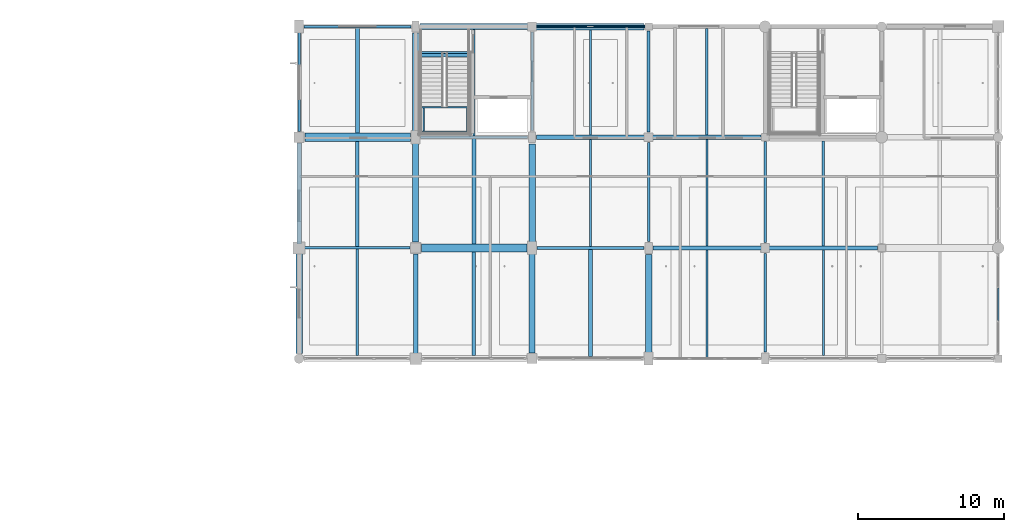
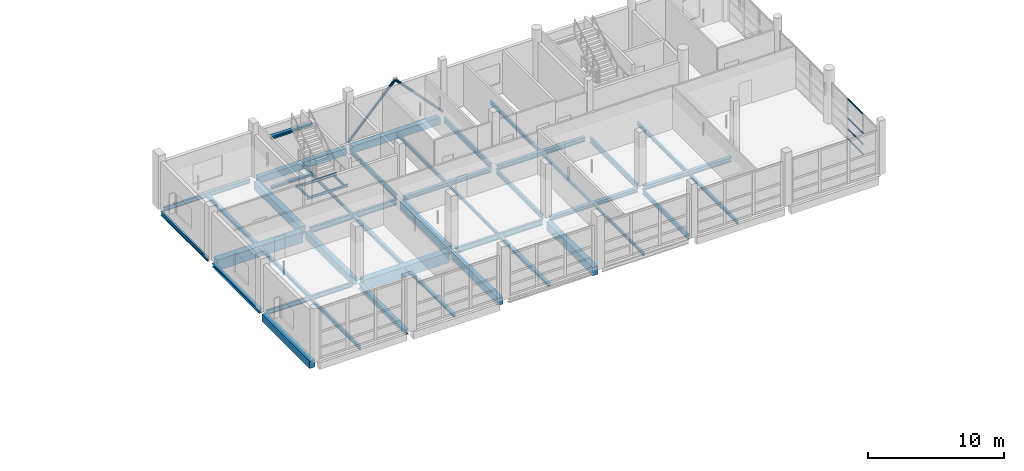
# One storey, part 18 of 46: 46 beams, 6 members, 1 element without a shape of its own.
"""IFC4 building model written with IfcOpenShell, lengths in metres."""

from ifc_helpers import new_model, si_unit, direction, frame, origin, origin_2d, place, context, subcontext, project, spatial, rectangle, hollow_rectangle, hollow_circle, i_section, extrude, material, material_profile, profile_set, type_object, element, aggregate, save


model = new_model("IFC4")

# Units and contexts
model_context = context("Model", 3, precision=1e-05, world=origin(), true_north=direction((0.0, 1.0)))
body_context = subcontext(model_context, "Body", "Model", "MODEL_VIEW")
ifc_project = project(units=[si_unit("LENGTHUNIT", "METRE"), si_unit("AREAUNIT", "SQUARE_METRE"), si_unit("VOLUMEUNIT", "CUBIC_METRE"), si_unit("PLANEANGLEUNIT", "RADIAN"), si_unit("MASSUNIT", "GRAM", prefix="KILO")], contexts=[model_context])

# Site, building, storey
site_placement = place(None, origin())
site = spatial("IfcSite", under=ifc_project, at=site_placement, CompositionType="ELEMENT")
building_placement = place(site_placement, origin())
building = spatial("IfcBuilding", under=site, at=building_placement, Name="Khelvaren Railside Concert Hall", CompositionType="ELEMENT")
storey_placement = place(building_placement, frame((0.0, 0.0, 19.800048828125)))
storey = spatial("IfcBuildingStorey", under=building, at=storey_placement, Name="L04", CompositionType="ELEMENT", Elevation=19.800048828125)

# Beams
ifc_material_1 = material(Name="Steel S355", Category="steel")
ifc_material_profile_1 = material_profile(ifc_material_1, i_section(OverallWidth=0.300048828125, OverallDepth=0.389892578125, WebThickness=0.010986328125, FlangeThickness=0.01904296875, FilletRadius=0.027099609375, at=origin_2d()), Name="HEA 400")
ifc_profile_set_1 = profile_set([ifc_material_profile_1], Name="Steel S355")
beam_type_1 = type_object("IfcBeamType", Name="BM23", PredefinedType="BEAM", material=ifc_profile_set_1)
for number, where, z_axis, x_axis, name in (
    (1, (168.25, 98.800048828125, -0.465087890625), (1.0, 0.0, 0.0), (0.0, 1.0, 0.0), "V5 L04 Beam X3.6"),
    (2, (160.25, 106.39990234375, -0.465087890625), (1.0, 0.0, 0.0), (0.0, 1.0, 0.0), "V5 L04 Beam X4.5"),
):
    element("IfcBeam", number, at=place(storey_placement, frame(where, z_axis=z_axis, x_axis=x_axis)), inside=storey, type_object=beam_type_1, Name=name, PredefinedType="BEAM", context=body_context, shape_type="SweptSolid", body=[
        extrude(i_section(OverallWidth=0.300048828125, OverallDepth=0.389892578125, WebThickness=0.010986328125, FlangeThickness=0.01904296875, FilletRadius=0.027099609375, at=origin_2d()), origin(), (0.0, 0.0, 1.0), 7.449951171875),
    ])
ifc_material_profile_2 = material_profile(ifc_material_1, i_section(OverallWidth=0.179931640625, OverallDepth=0.39990234375, WebThickness=0.008544921875, FlangeThickness=0.013427734375, FilletRadius=0.02099609375, at=origin_2d()), Name="IPE 400")
ifc_profile_set_2 = profile_set([ifc_material_profile_2], Name="Steel S355")
beam_type_2 = type_object("IfcBeamType", Name="BM29", PredefinedType="BEAM", material=ifc_profile_set_2)
beam_1_placement = place(storey_placement, frame((136.27294921875, 98.800048828125, -0.469970703125), z_axis=(1.0, 0.0, 0.0), x_axis=(0.0, 1.0, 0.0)))
element("IfcBeam", 3, at=beam_1_placement, inside=storey, type_object=beam_type_2, Name="V5 L04 Beam X3.2", PredefinedType="BEAM", context=body_context, shape_type="SweptSolid", body=[
    extrude(i_section(OverallWidth=0.179931640625, OverallDepth=0.39990234375, WebThickness=0.008544921875, FlangeThickness=0.013427734375, FilletRadius=0.02099609375, at=origin_2d()), origin(), (0.0, 0.0, 1.0), 7.3271484375),
])
for number, where, z_axis, x_axis, name in (
    (4, (152.0, 106.85009765625, -0.469970703125), (0.0, 1.0, 0.0), (-1.0, 0.0, 0.0), "V5 L04 Beam Y4.4"),
    (5, (160.0, 99.25, -0.469970703125), (0.0, 1.0, 0.0), (-1.0, 0.0, 0.0), "V5 L04 Beam Y5.3"),
):
    element("IfcBeam", number, at=place(storey_placement, frame(where, z_axis=z_axis, x_axis=x_axis)), inside=storey, type_object=beam_type_2, Name=name, PredefinedType="BEAM", context=body_context, shape_type="SweptSolid", body=[
        extrude(i_section(OverallWidth=0.179931640625, OverallDepth=0.39990234375, WebThickness=0.008544921875, FlangeThickness=0.013427734375, FilletRadius=0.02099609375, at=origin_2d()), origin(), (0.0, 0.0, 1.0), 6.77490234375),
    ])
beam_2_placement = place(storey_placement, frame((168.0, 91.64990234375, -0.469970703125), z_axis=(0.0, 1.0, 0.0), x_axis=(-1.0, 0.0, 0.0)))
element("IfcBeam", 6, at=beam_2_placement, inside=storey, type_object=beam_type_2, Name="V5 L04 Beam Y6.2", PredefinedType="BEAM", context=body_context, shape_type="SweptSolid", body=[
    extrude(i_section(OverallWidth=0.179931640625, OverallDepth=0.39990234375, WebThickness=0.008544921875, FlangeThickness=0.013427734375, FilletRadius=0.02099609375, at=origin_2d()), origin(), (0.0, 0.0, 1.0), 6.775146484375),
])
ifc_material_2 = material(Name="Concrete C40/50", Category="concrete")
ifc_material_profile_3 = material_profile(ifc_material_2, rectangle(XDim=0.39990234375, YDim=0.64990234375, at=origin_2d()), Name="RCB 400x650")
ifc_profile_set_3 = profile_set([ifc_material_profile_3], Name="Concrete C40/50")
beam_type_3 = type_object("IfcBeamType", Name="BM33", PredefinedType="BEAM", material=ifc_profile_set_3)
beam_3_placement = place(storey_placement, frame((144.0, 99.199951171875, -0.594970703125), z_axis=(0.0, 1.0, 0.0), x_axis=(-1.0, 0.0, 0.0)))
element("IfcBeam", 7, at=beam_3_placement, inside=storey, type_object=beam_type_3, Name="V5 L04 Beam Y3.3", PredefinedType="BEAM", context=body_context, shape_type="SweptSolid", body=[
    extrude(rectangle(XDim=0.39990234375, YDim=0.64990234375, at=origin_2d()), origin(), (0.0, 0.0, 1.0), 6.85009765625),
])
beam_4_placement = place(storey_placement, frame((152.0, 91.60009765625, -0.594970703125), z_axis=(0.0, 1.0, 0.0), x_axis=(-1.0, 0.0, 0.0)))
element("IfcBeam", 8, at=beam_4_placement, inside=storey, type_object=beam_type_3, Name="V5 L04 Beam Y4.2", PredefinedType="BEAM", context=body_context, shape_type="SweptSolid", body=[
    extrude(rectangle(XDim=0.39990234375, YDim=0.64990234375, at=origin_2d()), origin(), (0.0, 0.0, 1.0), 6.849853515625),
])
ifc_material_profile_4 = material_profile(ifc_material_1, i_section(OverallWidth=0.239990234375, OverallDepth=0.22998046875, WebThickness=0.007568359375, FlangeThickness=0.011962890625, FilletRadius=0.02099609375, at=origin_2d()), Name="HEA 240")
ifc_profile_set_4 = profile_set([ifc_material_profile_4], Name="Steel S355")
beam_type_4 = type_object("IfcBeamType", Name="BM42", PredefinedType="BEAM", material=ifc_profile_set_4)
beam_5_placement = place(storey_placement, frame((144.344970703125, 112.039306640625, -0.114990234375), z_axis=(1.0, 0.0, 0.0), x_axis=(0.0, 1.0, 0.0)))
element("IfcBeam", 9, at=beam_5_placement, inside=storey, type_object=beam_type_4, Name="ST-09 L04 Stair Foot Trimmer Beam", PredefinedType="BEAM", context=body_context, shape_type="SweptSolid", body=[
    extrude(i_section(OverallWidth=0.239990234375, OverallDepth=0.22998046875, WebThickness=0.007568359375, FlangeThickness=0.011962890625, FilletRadius=0.02099609375, at=origin_2d()), origin(), (0.0, 0.0, 1.0), 3.4951171875),
])
ifc_material_profile_5 = material_profile(ifc_material_1, i_section(OverallWidth=0.199951171875, OverallDepth=0.5, WebThickness=0.01025390625, FlangeThickness=0.01611328125, FilletRadius=0.02099609375, at=origin_2d()), Name="IPE 500")
ifc_profile_set_5 = profile_set([ifc_material_profile_5], Name="Steel S355")
beam_type_5 = type_object("IfcBeamType", Name="BM62", PredefinedType="BEAM", material=ifc_profile_set_5)
for number, where, z_axis, x_axis, name in (
    (10, (152.35009765625, 98.800048828125, -0.52001953125), (1.0, 0.0, 0.0), (0.0, 1.0, 0.0), "V5 L04 Beam X3.4"),
    (11, (144.35009765625, 106.39990234375, -0.52001953125), (1.0, 0.0, 0.0), (0.0, 1.0, 0.0), "V5 L04 Beam X4.3"),
):
    element("IfcBeam", number, at=place(storey_placement, frame(where, z_axis=z_axis, x_axis=x_axis)), inside=storey, type_object=beam_type_5, Name=name, PredefinedType="BEAM", context=body_context, shape_type="SweptSolid", body=[
        extrude(i_section(OverallWidth=0.199951171875, OverallDepth=0.5, WebThickness=0.01025390625, FlangeThickness=0.01611328125, FilletRadius=0.02099609375, at=origin_2d()), origin(), (0.0, 0.0, 1.0), 7.349853515625),
    ])
ifc_material_profile_6 = material_profile(ifc_material_1, i_section(OverallWidth=0.300048828125, OverallDepth=0.35009765625, WebThickness=0.010009765625, FlangeThickness=0.017578125, FilletRadius=0.027099609375, at=origin_2d()), Name="HEA 360")
ifc_profile_set_6 = profile_set([ifc_material_profile_6], Name="Steel S355")
beam_type_6 = type_object("IfcBeamType", Name="BM73", PredefinedType="BEAM", material=ifc_profile_set_6)
for number, where, z_axis, x_axis, name in (
    (12, (160.300048828125, 98.800048828125, -0.445068359375), (1.0, 0.0, 0.0), (0.0, 1.0, 0.0), "V5 L04 Beam X3.5"),
    (13, (152.300048828125, 106.39990234375, -0.445068359375), (1.0, 0.0, 0.0), (0.0, 1.0, 0.0), "V5 L04 Beam X4.4"),
):
    element("IfcBeam", number, at=place(storey_placement, frame(where, z_axis=z_axis, x_axis=x_axis)), inside=storey, type_object=beam_type_6, Name=name, PredefinedType="BEAM", context=body_context, shape_type="SweptSolid", body=[
        extrude(i_section(OverallWidth=0.300048828125, OverallDepth=0.35009765625, WebThickness=0.010009765625, FlangeThickness=0.017578125, FilletRadius=0.027099609375, at=origin_2d()), origin(), (0.0, 0.0, 1.0), 7.449951171875),
    ])
ifc_material_profile_7 = material_profile(ifc_material_2, rectangle(XDim=0.449951171875, YDim=0.75, at=origin_2d()), Name="RCB 450x750")
ifc_profile_set_7 = profile_set([ifc_material_profile_7], Name="Concrete C40/50")
beam_type_7 = type_object("IfcBeamType", Name="BM83", PredefinedType="BEAM", material=ifc_profile_set_7)
for number, where, z_axis, x_axis, name in (
    (14, (144.0, 106.75, -0.64501953125), (0.0, 1.0, 0.0), (-1.0, 0.0, 0.0), "V5 L04 Beam Y3.4"),
    (15, (152.0, 99.14990234375, -0.64501953125), (0.0, 1.0, 0.0), (-1.0, 0.0, 0.0), "V5 L04 Beam Y4.3"),
    (16, (160.0, 91.550048828125, -0.64501953125), (0.0, 1.0, 0.0), (-1.0, 0.0, 0.0), "V5 L04 Beam Y5.2"),
):
    element("IfcBeam", number, at=place(storey_placement, frame(where, z_axis=z_axis, x_axis=x_axis)), inside=storey, type_object=beam_type_7, Name=name, PredefinedType="BEAM", context=body_context, shape_type="SweptSolid", body=[
        extrude(rectangle(XDim=0.449951171875, YDim=0.75, at=origin_2d()), origin(), (0.0, 0.0, 1.0), 6.800048828125),
    ])
ifc_material_profile_8 = material_profile(ifc_material_1, i_section(OverallWidth=0.110107421875, OverallDepth=0.219970703125, WebThickness=0.005859375, FlangeThickness=0.00927734375, FilletRadius=0.011962890625, at=origin_2d()), Name="IPE 220")
ifc_profile_set_8 = profile_set([ifc_material_profile_8], Name="Steel S355")
beam_type_8 = type_object("IfcBeamType", Name="BM87", PredefinedType="BEAM", material=ifc_profile_set_8)
for number, where, z_axis, x_axis, name in (
    (17, (144.344970703125, 108.455078125, 2.08984375), (1.0, 0.0, 0.0), (0.0, 1.0, 0.0), "ST-09 L04 Half-Landing Front Beam"),
    (18, (144.344970703125, 106.760009765625, 2.08984375), (1.0, 0.0, 0.0), (0.0, 1.0, 0.0), "ST-09 L04 Half-Landing Rear Beam"),
):
    element("IfcBeam", number, at=place(storey_placement, frame(where, z_axis=z_axis, x_axis=x_axis)), inside=storey, type_object=beam_type_8, Name=name, PredefinedType="BEAM", context=body_context, shape_type="SweptSolid", body=[
        extrude(i_section(OverallWidth=0.110107421875, OverallDepth=0.219970703125, WebThickness=0.005859375, FlangeThickness=0.00927734375, FilletRadius=0.011962890625, at=origin_2d()), origin(), (0.0, 0.0, 1.0), 3.4951171875),
    ])
for number, where, z_axis, x_axis, name in (
    (19, (144.550048828125, 106.81494140625, 2.08984375), (0.0, 1.0, 0.0), (-1.0, 0.0, 0.0), "ST-09 L04 Half-Landing Side Tie W"),
    (20, (147.550048828125, 106.81494140625, 2.08984375), (0.0, 1.0, 0.0), (-1.0, 0.0, 0.0), "ST-09 L04 Half-Landing Side Tie E"),
):
    element("IfcBeam", number, at=place(storey_placement, frame(where, z_axis=z_axis, x_axis=x_axis)), inside=storey, type_object=beam_type_8, Name=name, PredefinedType="BEAM", context=body_context, shape_type="SweptSolid", body=[
        extrude(i_section(OverallWidth=0.110107421875, OverallDepth=0.219970703125, WebThickness=0.005859375, FlangeThickness=0.00927734375, FilletRadius=0.011962890625, at=origin_2d()), origin(), (0.0, 0.0, 1.0), 1.5849609375),
    ])
ifc_material_profile_9 = material_profile(ifc_material_1, i_section(OverallWidth=0.300048828125, OverallDepth=0.43994140625, WebThickness=0.011474609375, FlangeThickness=0.02099609375, FilletRadius=0.027099609375, at=origin_2d()), Name="HEA 450")
ifc_profile_set_9 = profile_set([ifc_material_profile_9], Name="Steel S355")
beam_type_9 = type_object("IfcBeamType", Name="BM89", PredefinedType="BEAM", material=ifc_profile_set_9)
beam_6_placement = place(storey_placement, frame((144.0, 91.472900390625, -0.489990234375), z_axis=(0.0, 1.0, 0.0), x_axis=(-1.0, 0.0, 0.0)))
element("IfcBeam", 21, at=beam_6_placement, inside=storey, type_object=beam_type_9, Name="V5 L04 Beam Y3.2", PredefinedType="BEAM", context=body_context, shape_type="SweptSolid", body=[
    extrude(i_section(OverallWidth=0.300048828125, OverallDepth=0.43994140625, WebThickness=0.011474609375, FlangeThickness=0.02099609375, FilletRadius=0.027099609375, at=origin_2d()), origin(), (0.0, 0.0, 1.0), 6.927001953125),
])
ifc_material_profile_10 = material_profile(ifc_material_1, i_section(OverallWidth=0.280029296875, OverallDepth=0.27001953125, WebThickness=0.008056640625, FlangeThickness=0.012939453125, FilletRadius=0.02392578125, at=origin_2d()), Name="HEA 280")
ifc_profile_set_10 = profile_set([ifc_material_profile_10], Name="Steel S355")
beam_type_10 = type_object("IfcBeamType", Name="BM93", PredefinedType="BEAM", material=ifc_profile_set_10)
beam_7_placement = place(storey_placement, frame((144.344970703125, 112.139892578125, 4.317626953125), z_axis=(1.0, 0.0, 0.0), x_axis=(0.0, 1.0, 0.0)))
element("IfcBeam", 22, at=beam_7_placement, inside=storey, type_object=beam_type_10, Name="ST-09 L04 Stair Top Arrival Trimmer Beam", PredefinedType="BEAM", context=body_context, shape_type="SweptSolid", body=[
    extrude(i_section(OverallWidth=0.280029296875, OverallDepth=0.27001953125, WebThickness=0.008056640625, FlangeThickness=0.012939453125, FilletRadius=0.02392578125, at=origin_2d()), origin(), (0.0, 0.0, 1.0), 3.4951171875),
])
ifc_material_profile_11 = material_profile(ifc_material_1, i_section(OverallWidth=0.18994140625, OverallDepth=0.449951171875, WebThickness=0.009521484375, FlangeThickness=0.0146484375, FilletRadius=0.02099609375, at=origin_2d()), Name="IPE 450")
ifc_profile_set_11 = profile_set([ifc_material_profile_11], Name="Steel S355")
beam_type_11 = type_object("IfcBeamType", Name="BM95", PredefinedType="BEAM", material=ifc_profile_set_11)
for number, where, z_axis, x_axis, name in (
    (23, (160.0, 106.77490234375, -0.4951171875), (0.0, 1.0, 0.0), (-1.0, 0.0, 0.0), "V5 L04 Beam Y5.4"),
    (24, (168.0, 99.175048828125, -0.4951171875), (0.0, 1.0, 0.0), (-1.0, 0.0, 0.0), "V5 L04 Beam Y6.3"),
):
    element("IfcBeam", number, at=place(storey_placement, frame(where, z_axis=z_axis, x_axis=x_axis)), inside=storey, type_object=beam_type_11, Name=name, PredefinedType="BEAM", context=body_context, shape_type="SweptSolid", body=[
        extrude(i_section(OverallWidth=0.18994140625, OverallDepth=0.449951171875, WebThickness=0.009521484375, FlangeThickness=0.0146484375, FilletRadius=0.02099609375, at=origin_2d()), origin(), (0.0, 0.0, 1.0), 6.925048828125),
    ])

# Members
ifc_material_profile_12 = material_profile(ifc_material_1, hollow_circle(Radius=0.109619140625, WallThickness=0.012451171875, at=origin_2d()), Name="CHS 219.1x12.5")
ifc_profile_set_12 = profile_set([ifc_material_profile_12], Name="Steel S355")
member_type_1 = type_object("IfcMemberType", Name="BR37", PredefinedType="BRACE", material=ifc_profile_set_12)
for number, where, z_axis, x_axis, name in (
    (25, (152.0, 114.0, 0.050048828125), (0.686221263148, 0.0, 0.727392863592), (0.0, 1.0, 0.0), "V5 L04 Seismic Chevron Brace 65"),
    (26, (160.0, 114.0, 0.050048828125), (-0.686221263148, 0.0, 0.727392863592), (0.0, -1.0, 0.0), "V5 L04 Seismic Chevron Brace 66"),
):
    element("IfcMember", number, at=place(storey_placement, frame(where, z_axis=z_axis, x_axis=x_axis)), inside=storey, type_object=member_type_1, Name=name, PredefinedType="BRACE", context=body_context, shape_type="SweptSolid", body=[
        extrude(hollow_circle(Radius=0.109619140625, WallThickness=0.012451171875, at=origin_2d()), origin(), (0.0, 0.0, 1.0), 5.8291015625),
    ])

# Curtain wall, members
ifc_material_3 = material(Name="Double-glazed low-E dark acoustic glass", Category="glass")
curtain_wall_type = type_object("IfcCurtainWallType", Name="CW32", PredefinedType="USERDEFINED", material=ifc_material_3)
curtain_wall_placement = place(storey_placement, origin())
curtain_wall = element("IfcCurtainWall", 27, at=curtain_wall_placement, inside=storey, type_object=curtain_wall_type, Name="Unitised Curtain Wall CW-V5-L04-E-91", ObjectType="UNITISED CURTAIN WALL", PredefinedType="USERDEFINED")
ifc_material_4 = material(Name="Anodised architectural aluminium 6063-T6", Category="aluminium")
ifc_material_profile_13 = material_profile(ifc_material_4, hollow_rectangle(XDim=0.06494140625, YDim=0.139892578125, WallThickness=0.00390625, InnerFilletRadius=0.001953125, OuterFilletRadius=0.00390625, at=origin_2d()), Name="CWT 65x140x4")
ifc_profile_set_13 = profile_set([ifc_material_profile_13], Name="Anodised architectural aluminium 6063-T6")
member_type_2 = type_object("IfcMemberType", Name="CWT72", PredefinedType="USERDEFINED", material=ifc_profile_set_13)
member_1_placement = place(storey_placement, frame((184.0, 96.0283203125, 0.032470703125), z_axis=(0.0, -1.0, 0.0), x_axis=(1.0, 0.0, 0.0)))
member_1 = element("IfcMember", 28, at=member_1_placement, type_object=member_type_2, Name="CW32 transom 2.1", ObjectType="TRANSOM", PredefinedType="USERDEFINED", context=body_context, shape_type="SweptSolid", body=[
    extrude(hollow_rectangle(XDim=0.06494140625, YDim=0.139892578125, WallThickness=0.00390625, InnerFilletRadius=0.001953125, OuterFilletRadius=0.00390625, at=origin_2d()), origin(), (0.0, 0.0, 1.0), 2.20654296875),
])
member_2_placement = place(storey_placement, frame((184.0, 96.0283203125, 0.949951171875), z_axis=(0.0, -1.0, 0.0), x_axis=(1.0, 0.0, 0.0)))
member_2 = element("IfcMember", 29, at=member_2_placement, type_object=member_type_2, Name="CW32 transom 2.2", ObjectType="TRANSOM", PredefinedType="USERDEFINED", context=body_context, shape_type="SweptSolid", body=[
    extrude(hollow_rectangle(XDim=0.06494140625, YDim=0.139892578125, WallThickness=0.00390625, InnerFilletRadius=0.001953125, OuterFilletRadius=0.00390625, at=origin_2d()), origin(), (0.0, 0.0, 1.0), 2.20654296875),
])
member_3_placement = place(storey_placement, frame((184.0, 96.0283203125, 1.91357421875), z_axis=(0.0, -1.0, 0.0), x_axis=(1.0, 0.0, 0.0)))
member_3 = element("IfcMember", 30, at=member_3_placement, type_object=member_type_2, Name="CW32 transom 2.3", ObjectType="TRANSOM", PredefinedType="USERDEFINED", context=body_context, shape_type="SweptSolid", body=[
    extrude(hollow_rectangle(XDim=0.06494140625, YDim=0.139892578125, WallThickness=0.00390625, InnerFilletRadius=0.001953125, OuterFilletRadius=0.00390625, at=origin_2d()), origin(), (0.0, 0.0, 1.0), 2.20654296875),
])
member_4_placement = place(storey_placement, frame((184.0, 96.0283203125, 3.6474609375), z_axis=(0.0, -1.0, 0.0), x_axis=(1.0, 0.0, 0.0)))
member_4 = element("IfcMember", 31, at=member_4_placement, type_object=member_type_2, Name="CW32 transom 2.4", ObjectType="TRANSOM", PredefinedType="USERDEFINED", context=body_context, shape_type="SweptSolid", body=[
    extrude(hollow_rectangle(XDim=0.06494140625, YDim=0.139892578125, WallThickness=0.00390625, InnerFilletRadius=0.001953125, OuterFilletRadius=0.00390625, at=origin_2d()), origin(), (0.0, 0.0, 1.0), 2.20654296875),
])
aggregate(curtain_wall, [member_1, member_2, member_3, member_4])

# Beams
ifc_material_profile_14 = material_profile(ifc_material_2, rectangle(XDim=0.550048828125, YDim=0.949951171875, at=origin_2d()), Name="RCB 550x950")
ifc_profile_set_14 = profile_set([ifc_material_profile_14], Name="Concrete C40/50")
beam_type_12 = type_object("IfcBeamType", Name="GR57", PredefinedType="T_BEAM", material=ifc_profile_set_14)
for number, where, z_axis, x_axis, name in (
    (32, (144.39990234375, 98.800048828125, -0.7451171875), (1.0, 0.0, 0.0), (0.0, 1.0, 0.0), "V5 L04 T_Beam X3.3"),
    (33, (136.39990234375, 106.39990234375, -0.7451171875), (1.0, 0.0, 0.0), (0.0, 1.0, 0.0), "V5 L04 T_Beam X4.2"),
):
    element("IfcBeam", number, at=place(storey_placement, frame(where, z_axis=z_axis, x_axis=x_axis)), inside=storey, type_object=beam_type_12, Name=name, PredefinedType="T_BEAM", context=body_context, shape_type="SweptSolid", body=[
        extrude(rectangle(XDim=0.550048828125, YDim=0.949951171875, at=origin_2d()), origin(), (0.0, 0.0, 1.0), 7.25),
    ])
ifc_material_profile_15 = material_profile(ifc_material_1, i_section(OverallWidth=0.14990234375, OverallDepth=0.300048828125, WebThickness=0.007080078125, FlangeThickness=0.0107421875, FilletRadius=0.014892578125, at=origin_2d()), Name="IPE 300")
ifc_profile_set_15 = profile_set([ifc_material_profile_15], Name="Steel S355")
beam_type_13 = type_object("IfcBeamType", Name="JS26", PredefinedType="JOIST", material=ifc_profile_set_15)
beam_8_placement = place(storey_placement, frame((156.0, 106.550048828125, -0.420166015625), z_axis=(0.0, 1.0, 0.0), x_axis=(-1.0, 0.0, 0.0)))
element("IfcBeam", 34, at=beam_8_placement, inside=storey, type_object=beam_type_13, Name="V5 L04 Secondary Joist 4.4", PredefinedType="JOIST", context=body_context, shape_type="SweptSolid", body=[
    extrude(i_section(OverallWidth=0.14990234375, OverallDepth=0.300048828125, WebThickness=0.007080078125, FlangeThickness=0.0107421875, FilletRadius=0.014892578125, at=origin_2d()), origin(), (0.0, 0.0, 1.0), 7.224853515625),
])
beam_9_placement = place(storey_placement, frame((164.0, 98.949951171875, -0.420166015625), z_axis=(0.0, 1.0, 0.0), x_axis=(-1.0, 0.0, 0.0)))
element("IfcBeam", 35, at=beam_9_placement, inside=storey, type_object=beam_type_13, Name="V5 L04 Secondary Joist 5.3", PredefinedType="JOIST", context=body_context, shape_type="SweptSolid", body=[
    extrude(i_section(OverallWidth=0.14990234375, OverallDepth=0.300048828125, WebThickness=0.007080078125, FlangeThickness=0.0107421875, FilletRadius=0.014892578125, at=origin_2d()), origin(), (0.0, 0.0, 1.0), 7.300048828125),
])
beam_10_placement = place(storey_placement, frame((172.0, 91.39990234375, -0.420166015625), z_axis=(0.0, 1.0, 0.0), x_axis=(-1.0, 0.0, 0.0)))
element("IfcBeam", 36, at=beam_10_placement, inside=storey, type_object=beam_type_13, Name="V5 L04 Secondary Joist 6.2", PredefinedType="JOIST", context=body_context, shape_type="SweptSolid", body=[
    extrude(i_section(OverallWidth=0.14990234375, OverallDepth=0.300048828125, WebThickness=0.007080078125, FlangeThickness=0.0107421875, FilletRadius=0.014892578125, at=origin_2d()), origin(), (0.0, 0.0, 1.0), 7.25),
])
ifc_material_profile_16 = material_profile(ifc_material_1, i_section(OverallWidth=0.280029296875, OverallDepth=0.27001953125, WebThickness=0.008056640625, FlangeThickness=0.012939453125, FilletRadius=0.02392578125, at=origin_2d()), Name="HEA 280")
ifc_profile_set_16 = profile_set([ifc_material_profile_16], Name="Steel S355")
beam_type_14 = type_object("IfcBeamType", Name="JS46", PredefinedType="JOIST", material=ifc_profile_set_16)
beam_11_placement = place(storey_placement, frame((140.0, 106.675048828125, -0.405029296875), z_axis=(0.0, 1.0, 0.0), x_axis=(-1.0, 0.0, 0.0)))
element("IfcBeam", 37, at=beam_11_placement, inside=storey, type_object=beam_type_14, Name="V5 L04 Secondary Joist 2.4", PredefinedType="JOIST", context=body_context, shape_type="SweptSolid", body=[
    extrude(i_section(OverallWidth=0.280029296875, OverallDepth=0.27001953125, WebThickness=0.008056640625, FlangeThickness=0.012939453125, FilletRadius=0.02392578125, at=origin_2d()), origin(), (0.0, 0.0, 1.0), 7.239990234375),
])
beam_12_placement = place(storey_placement, frame((148.0, 99.074951171875, -0.405029296875), z_axis=(0.0, 1.0, 0.0), x_axis=(-1.0, 0.0, 0.0)))
element("IfcBeam", 38, at=beam_12_placement, inside=storey, type_object=beam_type_14, Name="V5 L04 Secondary Joist 3.3", PredefinedType="JOIST", context=body_context, shape_type="SweptSolid", body=[
    extrude(i_section(OverallWidth=0.280029296875, OverallDepth=0.27001953125, WebThickness=0.008056640625, FlangeThickness=0.012939453125, FilletRadius=0.02392578125, at=origin_2d()), origin(), (0.0, 0.0, 1.0), 7.22509765625),
])
beam_13_placement = place(storey_placement, frame((156.0, 91.35009765625, -0.405029296875), z_axis=(0.0, 1.0, 0.0), x_axis=(-1.0, 0.0, 0.0)))
element("IfcBeam", 39, at=beam_13_placement, inside=storey, type_object=beam_type_14, Name="V5 L04 Secondary Joist 4.2", PredefinedType="JOIST", context=body_context, shape_type="SweptSolid", body=[
    extrude(i_section(OverallWidth=0.280029296875, OverallDepth=0.27001953125, WebThickness=0.008056640625, FlangeThickness=0.012939453125, FilletRadius=0.02392578125, at=origin_2d()), origin(), (0.0, 0.0, 1.0), 7.349853515625),
])
ifc_material_profile_17 = material_profile(ifc_material_1, i_section(OverallWidth=0.159912109375, OverallDepth=0.330078125, WebThickness=0.007568359375, FlangeThickness=0.011474609375, FilletRadius=0.01806640625, at=origin_2d()), Name="IPE 330")
ifc_profile_set_17 = profile_set([ifc_material_profile_17], Name="Steel S355")
beam_type_15 = type_object("IfcBeamType", Name="JS65", PredefinedType="JOIST", material=ifc_profile_set_17)
beam_14_placement = place(storey_placement, frame((140.0, 91.39990234375, -0.43505859375), z_axis=(0.0, 1.0, 0.0), x_axis=(-1.0, 0.0, 0.0)))
element("IfcBeam", 40, at=beam_14_placement, inside=storey, type_object=beam_type_15, Name="V5 L04 Secondary Joist 2.2", PredefinedType="JOIST", context=body_context, shape_type="SweptSolid", body=[
    extrude(i_section(OverallWidth=0.159912109375, OverallDepth=0.330078125, WebThickness=0.007568359375, FlangeThickness=0.011474609375, FilletRadius=0.01806640625, at=origin_2d()), origin(), (0.0, 0.0, 1.0), 7.31005859375),
])
beam_15_placement = place(storey_placement, frame((164.0, 106.550048828125, -0.43505859375), z_axis=(0.0, 1.0, 0.0), x_axis=(-1.0, 0.0, 0.0)))
element("IfcBeam", 41, at=beam_15_placement, inside=storey, type_object=beam_type_15, Name="V5 L04 Secondary Joist 5.4", PredefinedType="JOIST", context=body_context, shape_type="SweptSolid", body=[
    extrude(i_section(OverallWidth=0.159912109375, OverallDepth=0.330078125, WebThickness=0.007568359375, FlangeThickness=0.011474609375, FilletRadius=0.01806640625, at=origin_2d()), origin(), (0.0, 0.0, 1.0), 7.300048828125),
])
beam_16_placement = place(storey_placement, frame((172.0, 98.949951171875, -0.43505859375), z_axis=(0.0, 1.0, 0.0), x_axis=(-1.0, 0.0, 0.0)))
element("IfcBeam", 42, at=beam_16_placement, inside=storey, type_object=beam_type_15, Name="V5 L04 Secondary Joist 6.3", PredefinedType="JOIST", context=body_context, shape_type="SweptSolid", body=[
    extrude(i_section(OverallWidth=0.159912109375, OverallDepth=0.330078125, WebThickness=0.007568359375, FlangeThickness=0.011474609375, FilletRadius=0.01806640625, at=origin_2d()), origin(), (0.0, 0.0, 1.0), 7.199951171875),
])
ifc_material_profile_18 = material_profile(ifc_material_1, i_section(OverallWidth=0.239990234375, OverallDepth=0.22998046875, WebThickness=0.007568359375, FlangeThickness=0.011962890625, FilletRadius=0.02099609375, at=origin_2d()), Name="HEA 240")
ifc_profile_set_18 = profile_set([ifc_material_profile_18], Name="Steel S355")
beam_type_16 = type_object("IfcBeamType", Name="JS76", PredefinedType="JOIST", material=ifc_profile_set_18)
beam_17_placement = place(storey_placement, frame((140.0, 98.889892578125, -0.385009765625), z_axis=(0.0, 1.0, 0.0), x_axis=(-1.0, 0.0, 0.0)))
element("IfcBeam", 43, at=beam_17_placement, inside=storey, type_object=beam_type_16, Name="V5 L04 Secondary Joist 2.3", PredefinedType="JOIST", context=body_context, shape_type="SweptSolid", body=[
    extrude(i_section(OverallWidth=0.239990234375, OverallDepth=0.22998046875, WebThickness=0.007568359375, FlangeThickness=0.011962890625, FilletRadius=0.02099609375, at=origin_2d()), origin(), (0.0, 0.0, 1.0), 7.235107421875),
])
beam_18_placement = place(storey_placement, frame((148.0, 91.425048828125, -0.385009765625), z_axis=(0.0, 1.0, 0.0), x_axis=(-1.0, 0.0, 0.0)))
element("IfcBeam", 44, at=beam_18_placement, inside=storey, type_object=beam_type_16, Name="V5 L04 Secondary Joist 3.2", PredefinedType="JOIST", context=body_context, shape_type="SweptSolid", body=[
    extrude(i_section(OverallWidth=0.239990234375, OverallDepth=0.22998046875, WebThickness=0.007568359375, FlangeThickness=0.011962890625, FilletRadius=0.02099609375, at=origin_2d()), origin(), (0.0, 0.0, 1.0), 7.099853515625),
])
ifc_material_profile_19 = material_profile(ifc_material_1, i_section(OverallWidth=0.135009765625, OverallDepth=0.27001953125, WebThickness=0.006591796875, FlangeThickness=0.01025390625, FilletRadius=0.014892578125, at=origin_2d()), Name="IPE 270")
ifc_profile_set_19 = profile_set([ifc_material_profile_19], Name="Steel S355")
beam_type_17 = type_object("IfcBeamType", Name="JS78", PredefinedType="JOIST", material=ifc_profile_set_19)
beam_19_placement = place(storey_placement, frame((148.0, 106.5, -0.405029296875), z_axis=(0.0, 1.0, 0.0), x_axis=(-1.0, 0.0, 0.0)))
element("IfcBeam", 45, at=beam_19_placement, inside=storey, type_object=beam_type_17, Name="V5 L04 Secondary Joist 3.4", PredefinedType="JOIST", context=body_context, shape_type="SweptSolid", body=[
    extrude(i_section(OverallWidth=0.135009765625, OverallDepth=0.27001953125, WebThickness=0.006591796875, FlangeThickness=0.01025390625, FilletRadius=0.014892578125, at=origin_2d()), origin(), (0.0, 0.0, 1.0), 7.300048828125),
])
beam_20_placement = place(storey_placement, frame((156.0, 98.89990234375, -0.405029296875), z_axis=(0.0, 1.0, 0.0), x_axis=(-1.0, 0.0, 0.0)))
element("IfcBeam", 46, at=beam_20_placement, inside=storey, type_object=beam_type_17, Name="V5 L04 Secondary Joist 4.3", PredefinedType="JOIST", context=body_context, shape_type="SweptSolid", body=[
    extrude(i_section(OverallWidth=0.135009765625, OverallDepth=0.27001953125, WebThickness=0.006591796875, FlangeThickness=0.01025390625, FilletRadius=0.014892578125, at=origin_2d()), origin(), (0.0, 0.0, 1.0), 7.35009765625),
])
beam_21_placement = place(storey_placement, frame((164.0, 91.284912109375, -0.405029296875), z_axis=(0.0, 1.0, 0.0), x_axis=(-1.0, 0.0, 0.0)))
element("IfcBeam", 47, at=beam_21_placement, inside=storey, type_object=beam_type_17, Name="V5 L04 Secondary Joist 5.2", PredefinedType="JOIST", context=body_context, shape_type="SweptSolid", body=[
    extrude(i_section(OverallWidth=0.135009765625, OverallDepth=0.27001953125, WebThickness=0.006591796875, FlangeThickness=0.01025390625, FilletRadius=0.014892578125, at=origin_2d()), origin(), (0.0, 0.0, 1.0), 7.364990234375),
])
ifc_material_profile_20 = material_profile(ifc_material_2, rectangle(XDim=0.449951171875, YDim=0.64990234375, at=origin_2d()), Name="RCB 450x650")
ifc_profile_set_20 = profile_set([ifc_material_profile_20], Name="Concrete C40/50")
beam_type_18 = type_object("IfcBeamType", Name="SP34", PredefinedType="SPANDREL", material=ifc_profile_set_20)
beam_22_placement = place(storey_placement, frame((152.25, 114.0, -0.594970703125), z_axis=(1.0, 0.0, 0.0), x_axis=(0.0, 1.0, 0.0)))
element("IfcBeam", 48, at=beam_22_placement, inside=storey, type_object=beam_type_18, Name="V5 L04 Spandrel X5.4", PredefinedType="SPANDREL", context=body_context, shape_type="SweptSolid", body=[
    extrude(rectangle(XDim=0.449951171875, YDim=0.64990234375, at=origin_2d()), origin(), (0.0, 0.0, 1.0), 7.449951171875),
])
beam_23_placement = place(storey_placement, frame((136.0, 91.535888671875, -0.594970703125), z_axis=(0.0, 1.0, 0.0), x_axis=(-1.0, 0.0, 0.0)))
element("IfcBeam", 49, at=beam_23_placement, inside=storey, type_object=beam_type_18, Name="V5 L04 Spandrel Y2.2", PredefinedType="SPANDREL", context=body_context, shape_type="SweptSolid", body=[
    extrude(rectangle(XDim=0.449951171875, YDim=0.64990234375, at=origin_2d()), origin(), (0.0, 0.0, 1.0), 6.9912109375),
])
ifc_material_profile_21 = material_profile(ifc_material_1, i_section(OverallWidth=0.300048828125, OverallDepth=0.31005859375, WebThickness=0.009033203125, FlangeThickness=0.015380859375, FilletRadius=0.027099609375, at=origin_2d()), Name="HEA 320")
ifc_profile_set_21 = profile_set([ifc_material_profile_21], Name="Steel S355")
beam_type_19 = type_object("IfcBeamType", Name="SP66", PredefinedType="SPANDREL", material=ifc_profile_set_21)
beam_24_placement = place(storey_placement, frame((136.0, 99.072998046875, -0.425048828125), z_axis=(0.0, 1.0, 0.0), x_axis=(-1.0, 0.0, 0.0)))
element("IfcBeam", 50, at=beam_24_placement, inside=storey, type_object=beam_type_19, Name="V5 L04 Spandrel Y2.3", PredefinedType="SPANDREL", context=body_context, shape_type="SweptSolid", body=[
    extrude(i_section(OverallWidth=0.300048828125, OverallDepth=0.31005859375, WebThickness=0.009033203125, FlangeThickness=0.015380859375, FilletRadius=0.027099609375, at=origin_2d()), origin(), (0.0, 0.0, 1.0), 6.927001953125),
])
ifc_material_profile_22 = material_profile(ifc_material_1, i_section(OverallWidth=0.169921875, OverallDepth=0.360107421875, WebThickness=0.008056640625, FlangeThickness=0.0126953125, FilletRadius=0.01806640625, at=origin_2d()), Name="IPE 360")
ifc_profile_set_22 = profile_set([ifc_material_profile_22], Name="Steel S355")
beam_type_20 = type_object("IfcBeamType", Name="SP74", PredefinedType="SPANDREL", material=ifc_profile_set_22)
beam_25_placement = place(storey_placement, frame((136.35009765625, 114.0, -0.449951171875), z_axis=(1.0, 0.0, 0.0), x_axis=(0.0, 1.0, 0.0)))
element("IfcBeam", 51, at=beam_25_placement, inside=storey, type_object=beam_type_20, Name="V5 L04 Spandrel X5.2", PredefinedType="SPANDREL", context=body_context, shape_type="SweptSolid", body=[
    extrude(i_section(OverallWidth=0.169921875, OverallDepth=0.360107421875, WebThickness=0.008056640625, FlangeThickness=0.0126953125, FilletRadius=0.01806640625, at=origin_2d()), origin(), (0.0, 0.0, 1.0), 7.349853515625),
])
beam_26_placement = place(storey_placement, frame((136.0, 106.800048828125, -0.449951171875), z_axis=(0.0, 1.0, 0.0), x_axis=(-1.0, 0.0, 0.0)))
element("IfcBeam", 52, at=beam_26_placement, inside=storey, type_object=beam_type_20, Name="V5 L04 Spandrel Y2.4", PredefinedType="SPANDREL", context=body_context, shape_type="SweptSolid", body=[
    extrude(i_section(OverallWidth=0.169921875, OverallDepth=0.360107421875, WebThickness=0.008056640625, FlangeThickness=0.0126953125, FilletRadius=0.01806640625, at=origin_2d()), origin(), (0.0, 0.0, 1.0), 6.849853515625),
])
ifc_material_profile_23 = material_profile(ifc_material_2, rectangle(XDim=0.39990234375, YDim=0.60009765625, at=origin_2d()), Name="RCB 400x600")
ifc_profile_set_23 = profile_set([ifc_material_profile_23], Name="Concrete C40/50")
beam_type_21 = type_object("IfcBeamType", Name="SP75", PredefinedType="SPANDREL", material=ifc_profile_set_23)
beam_27_placement = place(storey_placement, frame((144.300048828125, 114.0, -0.570068359375), z_axis=(1.0, 0.0, 0.0), x_axis=(0.0, 1.0, 0.0)))
element("IfcBeam", 53, at=beam_27_placement, inside=storey, type_object=beam_type_21, Name="V5 L04 Spandrel X5.3", PredefinedType="SPANDREL", context=body_context, shape_type="SweptSolid", body=[
    extrude(rectangle(XDim=0.39990234375, YDim=0.60009765625, at=origin_2d()), origin(), (0.0, 0.0, 1.0), 7.449951171875),
])

save(model, "model.ifc")
